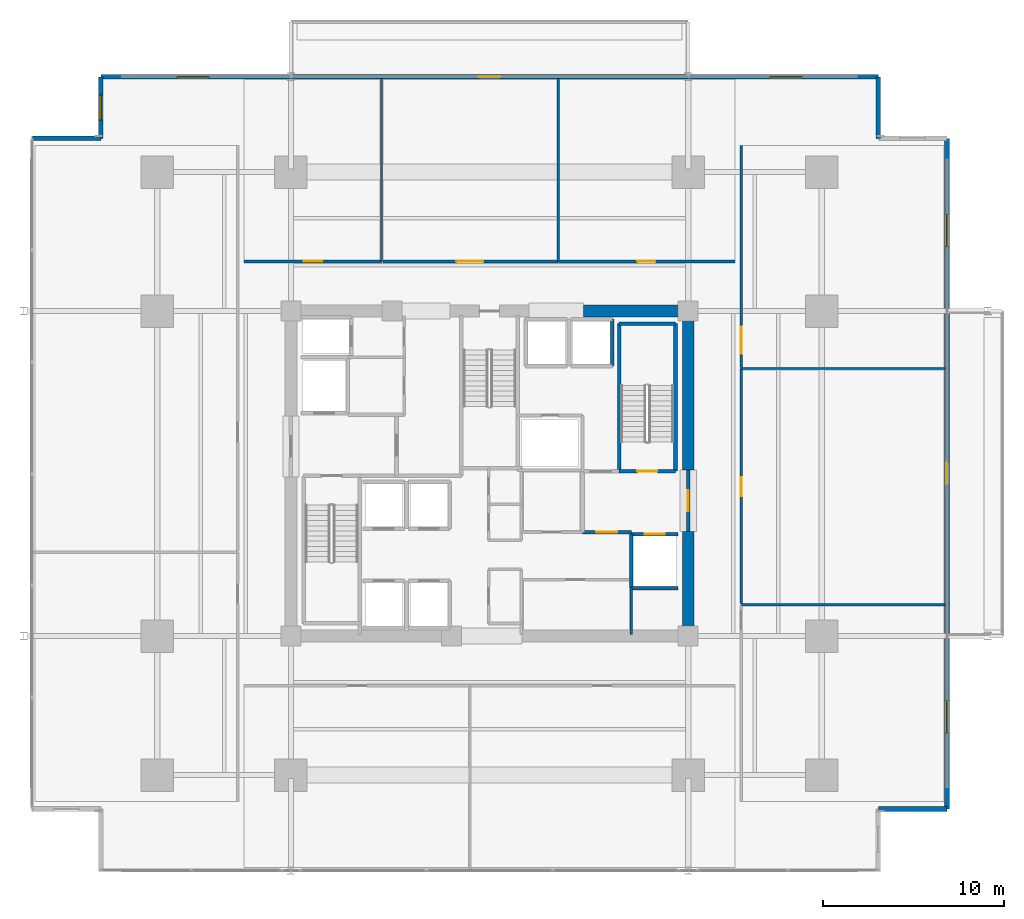
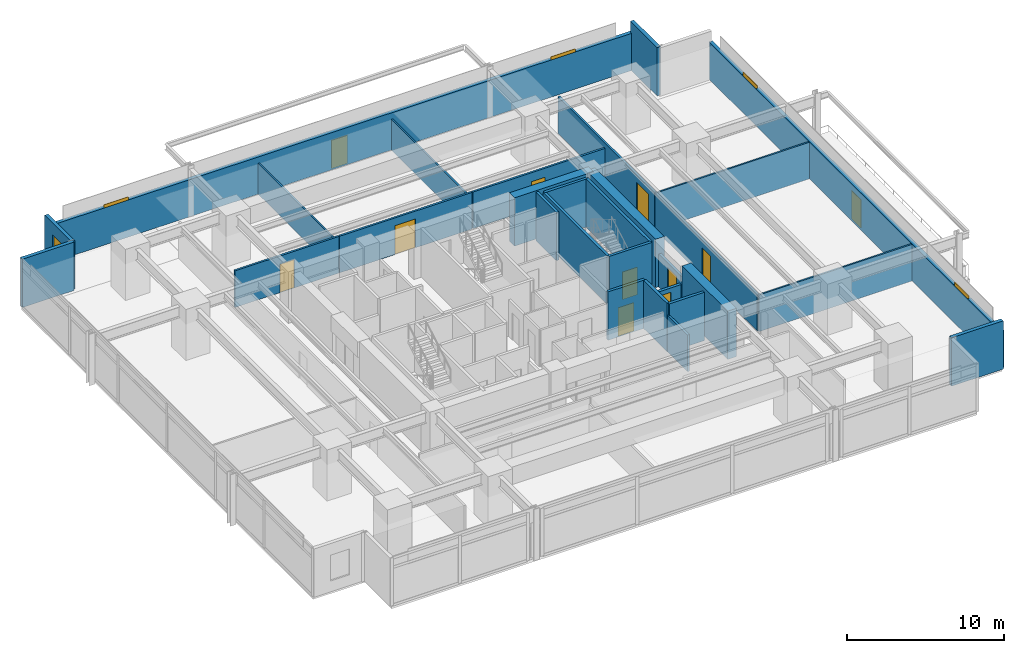
# One storey, part 17 of 22: 29 walls, 11 doors, 5 windows, 16 openings.
"""IFC4 building model written with IfcOpenShell, lengths in metres."""

from ifc_helpers import new_model, si_unit, direction, frame, frame_2d, origin, place, context, subcontext, project, spatial, rectangle, extrude, material, layer, layer_set, type_object, element, fill, save


model = new_model("IFC4")

# Units and contexts
model_context = context("Model", 3, precision=1e-05, world=origin(), true_north=direction((0.0, 1.0)))
body_context = subcontext(model_context, "Body", "Model", "MODEL_VIEW")
ifc_project = project(units=[si_unit("LENGTHUNIT", "METRE"), si_unit("AREAUNIT", "SQUARE_METRE"), si_unit("VOLUMEUNIT", "CUBIC_METRE"), si_unit("PLANEANGLEUNIT", "RADIAN"), si_unit("MASSUNIT", "GRAM", prefix="KILO")], contexts=[model_context])

# Site, building, storey
site_placement = place(None, origin())
site = spatial("IfcSite", under=ifc_project, at=site_placement, CompositionType="ELEMENT")
building_placement = place(site_placement, origin())
building = spatial("IfcBuilding", under=site, at=building_placement, Name="Kovane Verandah Tower", CompositionType="ELEMENT")
storey_placement = place(building_placement, frame((0.0, 0.0, 43.60009765625)))
storey = spatial("IfcBuildingStorey", under=building, at=storey_placement, Name="L09", CompositionType="ELEMENT", Elevation=43.60009765625)

# Wall
ifc_material_1 = material(Name="Fire-Rated Gypsum Stud Partition", Category="gypsum")
ifc_layer_1 = layer(ifc_material_1, 0.14990234375)
ifc_layer_set_1 = layer_set([ifc_layer_1], Name="Fire-Rated Gypsum Stud Partition")
wall_type_1 = type_object("IfcWallType", Name="WL-COR-150", PredefinedType="PARTITIONING", material=ifc_layer_set_1)
wall_1_placement = place(storey_placement, frame((47.85009765625, 18.60009765625, 0.0), z_axis=(0.0, 0.0, 1.0), x_axis=(0.0, 1.0, 0.0)))
element("IfcWall", 1, at=wall_1_placement, inside=storey, type_object=wall_type_1, Name="L09 East Core Support East Wall", PredefinedType="PARTITIONING", context=body_context, shape_type="SweptSolid", body=[
    extrude(rectangle(XDim=2.539794921875, YDim=0.14990234375, at=frame_2d((1.27001953125, 0.0))), origin(), (0.0, 0.0, 1.0), 2.849853515625),
])

# Wall, opening, door
wall_2_placement = place(storey_placement, frame((26.39990234375, 39.25, 0.0), z_axis=(0.0, 0.0, 1.0), x_axis=(1.0, 0.0, 0.0)))
wall_2 = element("IfcWall", 2, at=wall_2_placement, inside=storey, type_object=wall_type_1, Name="L09 Executive Office N1 Corridor Partition", PredefinedType="PARTITIONING", context=body_context, shape_type="SweptSolid", body=[
    extrude(rectangle(XDim=7.6162109375, YDim=0.14990234375, at=frame_2d((3.80810546875, 0.0))), origin(), (0.0, 0.0, 1.0), 2.849853515625),
])
opening_1_placement = place(wall_2_placement, frame((3.298095703125, 0.0, 0.0)))
opening_1 = element("IfcOpeningElement", 3, at=opening_1_placement, cuts=wall_2, Name="Opening DR-L09-018", PredefinedType="OPENING", context=body_context, shape_type="SweptSolid", body=[
    extrude(rectangle(XDim=1.050048828125, YDim=2.199951171875, at=frame_2d((0.52490234375, 1.10009765625))), frame((0.0, 0.074951171875, 0.0), z_axis=(0.0, -1.0, 0.0), x_axis=(1.0, 0.0, 0.0)), (0.0, 0.0, 1.0), 0.14990234375),
])
ifc_material_2 = material(Name="FSC Blackbutt Timber Fire-Rated Executive Door", Category="wood")
door_type_1 = type_object("IfcDoorType", Name="DR-EXEC-1050", OperationType="SINGLE_SWING_LEFT", PredefinedType="DOOR", material=ifc_material_2)
door_1_placement = place(opening_1_placement, origin())
door_1 = element("IfcDoor", 4, at=door_1_placement, inside=storey, type_object=door_type_1, Name="L09 Executive Office N1 Entrance Door", OperationType="SINGLE_SWING_LEFT", OverallHeight=2.199951171875, OverallWidth=1.050048828125, PredefinedType="DOOR", context=body_context, shape_type="SweptSolid", body=[
    extrude(rectangle(XDim=1.050048828125, YDim=2.199951171875, at=frame_2d((0.52490234375, 1.10009765625))), frame((0.0, 0.02490234375, 0.0), z_axis=(0.0, -1.0, 0.0), x_axis=(1.0, 0.0, 0.0)), (0.0, 0.0, 1.0), 0.050048828125),
])
fill(opening_1, door_1)

wall_3_placement = place(storey_placement, frame((34.0859375, 39.25, 0.0), z_axis=(0.0, 0.0, 1.0), x_axis=(1.0, 0.0, 0.0)))
wall_3 = element("IfcWall", 5, at=wall_3_placement, inside=storey, type_object=wall_type_1, Name="L09 Client Boardroom N2 Corridor Partition", PredefinedType="PARTITIONING", context=body_context, shape_type="SweptSolid", body=[
    extrude(rectangle(XDim=9.72216796875, YDim=0.14990234375, at=frame_2d((4.861083984375, 0.0))), origin(), (0.0, 0.0, 1.0), 2.849853515625),
])
opening_2_placement = place(wall_3_placement, frame((4.075927734375, 0.0, 0.0)))
opening_2 = element("IfcOpeningElement", 6, at=opening_2_placement, cuts=wall_3, Name="Opening DR-L09-019", PredefinedType="OPENING", context=body_context, shape_type="SweptSolid", body=[
    extrude(rectangle(XDim=1.5, YDim=2.25, at=frame_2d((0.75, 1.125))), frame((0.0, 0.074951171875, 0.0), z_axis=(0.0, -1.0, 0.0), x_axis=(1.0, 0.0, 0.0)), (0.0, 0.0, 1.0), 0.14990234375),
])
ifc_material_3 = material(Name="Glazed Timber Fire-Rated Double Door", Category="wood")
door_type_2 = type_object("IfcDoorType", Name="DR-CONF-1500", OperationType="DOUBLE_DOOR_SINGLE_SWING", PredefinedType="DOOR", material=ifc_material_3)
door_2_placement = place(opening_2_placement, origin())
door_2 = element("IfcDoor", 7, at=door_2_placement, inside=storey, type_object=door_type_2, Name="L09 Client Boardroom N2 Entrance Door", OperationType="DOUBLE_DOOR_SINGLE_SWING", OverallHeight=2.25, OverallWidth=1.5, PredefinedType="DOOR", context=body_context, shape_type="SweptSolid", body=[
    extrude(rectangle(XDim=1.5, YDim=2.25, at=frame_2d((0.75, 1.125))), frame((0.0, 0.02490234375, 0.0), z_axis=(0.0, -1.0, 0.0), x_axis=(1.0, 0.0, 0.0)), (0.0, 0.0, 1.0), 0.050048828125),
])
fill(opening_2, door_2)

wall_4_placement = place(storey_placement, frame((43.8779296875, 39.25, 0.0), z_axis=(0.0, 0.0, 1.0), x_axis=(1.0, 0.0, 0.0)))
wall_4 = element("IfcWall", 8, at=wall_4_placement, inside=storey, type_object=wall_type_1, Name="L09 Meeting Room N3 Corridor Partition", PredefinedType="PARTITIONING", context=body_context, shape_type="SweptSolid", body=[
    extrude(rectangle(XDim=9.72216796875, YDim=0.14990234375, at=frame_2d((4.861083984375, 0.0))), origin(), (0.0, 0.0, 1.0), 2.849853515625),
])
opening_3_placement = place(wall_4_placement, frame((4.31103515625, 0.0, 0.0)))
opening_3 = element("IfcOpeningElement", 9, at=opening_3_placement, cuts=wall_4, Name="Opening DR-L09-020", PredefinedType="OPENING", context=body_context, shape_type="SweptSolid", body=[
    extrude(rectangle(XDim=1.0, YDim=2.14990234375, at=frame_2d((0.5, 1.074951171875))), frame((0.0, 0.074951171875, 0.0), z_axis=(0.0, -1.0, 0.0), x_axis=(1.0, 0.0, 0.0)), (0.0, 0.0, 1.0), 0.14990234375),
])
ifc_material_4 = material(Name="FSC Spotted-Gum Timber Fire-Rated Office Door", Category="wood")
door_type_3 = type_object("IfcDoorType", Name="DR-OFF-1000", OperationType="SINGLE_SWING_LEFT", PredefinedType="DOOR", material=ifc_material_4)
door_3_placement = place(opening_3_placement, origin())
door_3 = element("IfcDoor", 10, at=door_3_placement, inside=storey, type_object=door_type_3, Name="L09 Meeting Room N3 Entrance Door", OperationType="SINGLE_SWING_LEFT", OverallHeight=2.14990234375, OverallWidth=1.0, PredefinedType="DOOR", context=body_context, shape_type="SweptSolid", body=[
    extrude(rectangle(XDim=1.0, YDim=2.14990234375, at=frame_2d((0.5, 1.074951171875))), frame((0.0, 0.02490234375, 0.0), z_axis=(0.0, -1.0, 0.0), x_axis=(1.0, 0.0, 0.0)), (0.0, 0.0, 1.0), 0.050048828125),
])
fill(opening_3, door_3)

wall_5_placement = place(storey_placement, frame((53.949951171875, 20.30078125, 0.0), z_axis=(0.0, 0.0, 1.0), x_axis=(0.0, 1.0, 0.0)))
wall_5 = element("IfcWall", 11, at=wall_5_placement, inside=storey, type_object=wall_type_1, Name="L09 Executive Office E2 Corridor Partition", PredefinedType="PARTITIONING", context=body_context, shape_type="SweptSolid", body=[
    extrude(rectangle(XDim=13.0146484375, YDim=0.14990234375, at=frame_2d((6.50732421875, 0.0))), origin(), (0.0, 0.0, 1.0), 2.849853515625),
])
opening_4_placement = place(wall_5_placement, frame((5.947265625, 0.0, 0.0)))
opening_4 = element("IfcOpeningElement", 12, at=opening_4_placement, cuts=wall_5, Name="Opening DR-L09-013", PredefinedType="OPENING", context=body_context, shape_type="SweptSolid", body=[
    extrude(rectangle(XDim=1.050048828125, YDim=2.199951171875, at=frame_2d((0.52490234375, 1.10009765625))), frame((0.0, 0.074951171875, 0.0), z_axis=(0.0, -1.0, 0.0), x_axis=(1.0, 0.0, 0.0)), (0.0, 0.0, 1.0), 0.14990234375),
])
door_4_placement = place(opening_4_placement, origin())
door_4 = element("IfcDoor", 13, at=door_4_placement, inside=storey, type_object=door_type_1, Name="L09 Executive Office E2 Entrance Door", OperationType="SINGLE_SWING_LEFT", OverallHeight=2.199951171875, OverallWidth=1.050048828125, PredefinedType="DOOR", context=body_context, shape_type="SweptSolid", body=[
    extrude(rectangle(XDim=1.050048828125, YDim=2.199951171875, at=frame_2d((0.52490234375, 1.10009765625))), frame((0.0, 0.02490234375, 0.0), z_axis=(0.0, -1.0, 0.0), x_axis=(1.0, 0.0, 0.0)), (0.0, 0.0, 1.0), 0.050048828125),
])
fill(opening_4, door_4)

wall_6_placement = place(storey_placement, frame((53.949951171875, 33.385498046875, 0.0), z_axis=(0.0, 0.0, 1.0), x_axis=(0.0, 1.0, 0.0)))
wall_6 = element("IfcWall", 14, at=wall_6_placement, inside=storey, type_object=wall_type_1, Name="L09 Client Boardroom E3 Corridor Partition", PredefinedType="PARTITIONING", context=body_context, shape_type="SweptSolid", body=[
    extrude(rectangle(XDim=12.28759765625, YDim=0.14990234375, at=frame_2d((6.143798828125, 0.0))), origin(), (0.0, 0.0, 1.0), 2.849853515625),
])
opening_5_placement = place(wall_6_placement, frame((0.75732421875, 0.0, 0.0)))
opening_5 = element("IfcOpeningElement", 15, at=opening_5_placement, cuts=wall_6, Name="Opening DR-L09-014", PredefinedType="OPENING", context=body_context, shape_type="SweptSolid", body=[
    extrude(rectangle(XDim=1.5, YDim=2.25, at=frame_2d((0.75, 1.125))), frame((0.0, 0.074951171875, 0.0), z_axis=(0.0, -1.0, 0.0), x_axis=(1.0, 0.0, 0.0)), (0.0, 0.0, 1.0), 0.14990234375),
])
door_5_placement = place(opening_5_placement, origin())
door_5 = element("IfcDoor", 16, at=door_5_placement, inside=storey, type_object=door_type_2, Name="L09 Client Boardroom E3 Entrance Door", OperationType="DOUBLE_DOOR_SINGLE_SWING", OverallHeight=2.25, OverallWidth=1.5, PredefinedType="DOOR", context=body_context, shape_type="SweptSolid", body=[
    extrude(rectangle(XDim=1.5, YDim=2.25, at=frame_2d((0.75, 1.125))), frame((0.0, 0.02490234375, 0.0), z_axis=(0.0, -1.0, 0.0), x_axis=(1.0, 0.0, 0.0)), (0.0, 0.0, 1.0), 0.050048828125),
])
fill(opening_5, door_5)

# Walls
ifc_material_5 = material(Name="Concrete C80/95", Category="concrete")
ifc_layer_2 = layer(ifc_material_5, 0.64990234375)
ifc_layer_set_2 = layer_set([ifc_layer_2], Name="Concrete C80/95")
wall_type_2 = type_object("IfcWallType", Name="WL-CORE-650", PredefinedType="SHEAR", material=ifc_layer_set_2)
for number, where, z_axis, x_axis, name in (
    (17, (45.199951171875, 36.5, 0.0), (0.0, 0.0, 1.0), (1.0, 0.0, 0.0), "L09 Core Shear Wall CN-3"),
    (18, (51.0, 18.5, 0.0), (0.0, 0.0, 1.0), (0.0, 1.0, 0.0), "L09 Core Shear Wall CE-1"),
):
    element("IfcWall", number, at=place(storey_placement, frame(where, z_axis=z_axis, x_axis=x_axis)), inside=storey, type_object=wall_type_2, Name=name, PredefinedType="SHEAR", context=body_context, shape_type="SweptSolid", body=[
        extrude(rectangle(XDim=5.800048828125, YDim=0.64990234375, at=frame_2d((2.89990234375, 0.0))), origin(), (0.0, 0.0, 1.0), 3.760009765625),
    ])
wall_7_placement = place(storey_placement, frame((51.0, 27.699951171875, 0.0), z_axis=(0.0, 0.0, 1.0), x_axis=(0.0, 1.0, 0.0)))
element("IfcWall", 19, at=wall_7_placement, inside=storey, type_object=wall_type_2, Name="L09 Core Shear Wall CE-2", PredefinedType="SHEAR", context=body_context, shape_type="SweptSolid", body=[
    extrude(rectangle(XDim=8.800048828125, YDim=0.64990234375, at=frame_2d((4.39990234375, 0.0))), origin(), (0.0, 0.0, 1.0), 3.760009765625),
])

# Wall, opening, door
ifc_material_6 = material(Name="Concrete C45/55 Fire Wall", Category="concrete")
ifc_layer_3 = layer(ifc_material_6, 0.199951171875)
ifc_layer_set_3 = layer_set([ifc_layer_3], Name="Concrete C45/55 Fire Wall")
wall_type_3 = type_object("IfcWallType", Name="WL-FFL-200", PredefinedType="PARTITIONING", material=ifc_layer_set_3)
wall_8_placement = place(storey_placement, frame((45.14990234375, 24.25, 0.0), z_axis=(0.0, 0.0, 1.0), x_axis=(1.0, 0.0, 0.0)))
wall_8 = element("IfcWall", 20, at=wall_8_placement, inside=storey, type_object=wall_type_3, Name="W-L09-FFLE-S", PredefinedType="PARTITIONING", context=body_context, shape_type="SweptSolid", body=[
    extrude(rectangle(XDim=2.7001953125, YDim=0.199951171875, at=frame_2d((1.35009765625, 0.0))), origin(), (0.0, 0.0, 1.0), 3.760009765625),
])
opening_6_placement = place(wall_8_placement, frame((0.77490234375, 0.0, 0.0)))
opening_6 = element("IfcOpeningElement", 21, at=opening_6_placement, cuts=wall_8, Name="Opening DR-L09-003", PredefinedType="OPENING", context=body_context, shape_type="SweptSolid", body=[
    extrude(rectangle(XDim=1.14990234375, YDim=2.199951171875, at=frame_2d((0.574951171875, 1.10009765625))), frame((0.0, 0.10009765625, 0.0), z_axis=(0.0, -1.0, 0.0), x_axis=(1.0, 0.0, 0.0)), (0.0, 0.0, 1.0), 0.199951171875),
])
ifc_material_7 = material(Name="Smoke-Sealed Firefighting Lobby Door", Category="steel")
door_type_4 = type_object("IfcDoorType", Name="DR-FFL-1150", OperationType="SINGLE_SWING_LEFT", PredefinedType="DOOR", material=ifc_material_7)
door_6_placement = place(opening_6_placement, origin())
door_6 = element("IfcDoor", 22, at=door_6_placement, inside=storey, type_object=door_type_4, Name="L09 East Firefighting Lobby Inner Door", OperationType="SINGLE_SWING_RIGHT", OverallHeight=2.199951171875, OverallWidth=1.14990234375, PredefinedType="DOOR", context=body_context, shape_type="SweptSolid", body=[
    extrude(rectangle(XDim=1.14990234375, YDim=2.199951171875, at=frame_2d((0.574951171875, 1.10009765625))), frame((0.0, 0.02490234375, 0.0), z_axis=(0.0, -1.0, 0.0), x_axis=(1.0, 0.0, 0.0)), (0.0, 0.0, 1.0), 0.050048828125),
])
fill(opening_6, door_6)

wall_9_placement = place(storey_placement, frame((51.0, 24.300048828125, 0.0), z_axis=(0.0, 0.0, 1.0), x_axis=(0.0, 1.0, 0.0)))
wall_9 = element("IfcWall", 23, at=wall_9_placement, inside=storey, type_object=wall_type_3, Name="W-L09-FFLE-OUT", PredefinedType="PARTITIONING", context=body_context, shape_type="SweptSolid", body=[
    extrude(rectangle(XDim=3.39990234375, YDim=0.199951171875, at=frame_2d((1.699951171875, 0.0))), origin(), (0.0, 0.0, 1.0), 2.539794921875),
])
opening_7_placement = place(wall_9_placement, frame((1.125, 0.0, 0.0)))
opening_7 = element("IfcOpeningElement", 24, at=opening_7_placement, cuts=wall_9, Name="Opening DR-L09-005", PredefinedType="OPENING", context=body_context, shape_type="SweptSolid", body=[
    extrude(rectangle(XDim=1.14990234375, YDim=2.199951171875, at=frame_2d((0.574951171875, 1.10009765625))), frame((0.0, 0.10009765625, 0.0), z_axis=(0.0, -1.0, 0.0), x_axis=(1.0, 0.0, 0.0)), (0.0, 0.0, 1.0), 0.199951171875),
])
door_7_placement = place(opening_7_placement, origin())
door_7 = element("IfcDoor", 25, at=door_7_placement, inside=storey, type_object=door_type_4, Name="L09 East Firefighting Lobby Corridor Door", OperationType="SINGLE_SWING_LEFT", OverallHeight=2.199951171875, OverallWidth=1.14990234375, PredefinedType="DOOR", context=body_context, shape_type="SweptSolid", body=[
    extrude(rectangle(XDim=1.14990234375, YDim=2.199951171875, at=frame_2d((0.574951171875, 1.10009765625))), frame((0.0, 0.02490234375, 0.0), z_axis=(0.0, -1.0, 0.0), x_axis=(1.0, 0.0, 0.0)), (0.0, 0.0, 1.0), 0.050048828125),
])
fill(opening_7, door_7)

# Wall
ifc_material_8 = material(Name="Concrete C45/55 Lift Shaft Wall", Category="concrete")
ifc_layer_4 = layer(ifc_material_8, 0.199951171875)
ifc_layer_set_4 = layer_set([ifc_layer_4], Name="Concrete C45/55 Lift Shaft Wall")
wall_type_4 = type_object("IfcWallType", Name="WL-LIFT-200", PredefinedType="SOLIDWALL", material=ifc_layer_set_4)
wall_10_placement = place(storey_placement, frame((47.85009765625, 21.14990234375, 0.0), z_axis=(0.0, 0.0, 1.0), x_axis=(1.0, 0.0, 0.0)))
element("IfcWall", 26, at=wall_10_placement, inside=storey, type_object=wall_type_4, Name="L09 Lift FL-02 S Shaft Wall", PredefinedType="SOLIDWALL", context=body_context, shape_type="SweptSolid", body=[
    extrude(rectangle(XDim=2.599853515625, YDim=0.199951171875, at=frame_2d((1.2998046875, 0.0))), origin(), (0.0, 0.0, 1.0), 3.760009765625),
])

# Wall, opening, door
wall_11_placement = place(storey_placement, frame((50.449951171875, 24.14990234375, 0.0), z_axis=(0.0, 0.0, 1.0), x_axis=(-1.0, 0.0, 0.0)))
wall_11 = element("IfcWall", 27, at=wall_11_placement, inside=storey, type_object=wall_type_4, Name="L09 Lift FL-02 N Shaft Wall", PredefinedType="SOLIDWALL", context=body_context, shape_type="SweptSolid", body=[
    extrude(rectangle(XDim=2.599853515625, YDim=0.199951171875, at=frame_2d((1.2998046875, 0.0))), origin(), (0.0, 0.0, 1.0), 2.539794921875),
])
opening_8_placement = place(wall_11_placement, frame((0.75, 0.0, 0.0)))
opening_8 = element("IfcOpeningElement", 28, at=opening_8_placement, cuts=wall_11, Name="Opening LD-L09-002", PredefinedType="OPENING", context=body_context, shape_type="SweptSolid", body=[
    extrude(rectangle(XDim=1.10009765625, YDim=2.199951171875, at=frame_2d((0.550048828125, 1.10009765625))), frame((0.0, 0.10009765625, 0.0), z_axis=(0.0, -1.0, 0.0), x_axis=(1.0, 0.0, 0.0)), (0.0, 0.0, 1.0), 0.199951171875),
])
ifc_material_9 = material(Name="Brushed Stainless Steel Sliding Lift Landing Door", Category="steel")
door_type_5 = type_object("IfcDoorType", Name="DR-LIFT-1100", OperationType="SLIDING_TO_RIGHT", PredefinedType="DOOR", material=ifc_material_9)
door_8_placement = place(opening_8_placement, origin())
door_8 = element("IfcDoor", 29, at=door_8_placement, inside=storey, type_object=door_type_5, Name="L09 Lift FL-02 Sliding Landing Door", OperationType="SLIDING_TO_RIGHT", OverallHeight=2.199951171875, OverallWidth=1.10009765625, PredefinedType="DOOR", context=body_context, shape_type="SweptSolid", body=[
    extrude(rectangle(XDim=1.10009765625, YDim=2.199951171875, at=frame_2d((0.550048828125, 1.10009765625))), frame((0.0, 0.02490234375, 0.0), z_axis=(0.0, -1.0, 0.0), x_axis=(1.0, 0.0, 0.0)), (0.0, 0.0, 1.0), 0.050048828125),
])
fill(opening_8, door_8)

# Walls
wall_12_placement = place(storey_placement, frame((47.85009765625, 24.14990234375, 0.0), z_axis=(0.0, 0.0, 1.0), x_axis=(0.0, -1.0, 0.0)))
element("IfcWall", 30, at=wall_12_placement, inside=storey, type_object=wall_type_4, Name="L09 Lift FL-02 W Shaft Wall", PredefinedType="SOLIDWALL", context=body_context, shape_type="SweptSolid", body=[
    extrude(rectangle(XDim=3.0, YDim=0.199951171875, at=frame_2d((1.5, 0.0))), origin(), (0.0, 0.0, 1.0), 3.760009765625),
])
wall_13_placement = place(storey_placement, frame((46.800048828125, 33.449951171875, 0.0), z_axis=(0.0, 0.0, 1.0), x_axis=(0.0, 1.0, 0.0)))
element("IfcWall", 31, at=wall_13_placement, inside=storey, type_object=wall_type_4, Name="L09 Lift OL-01 E Shaft Wall", PredefinedType="SOLIDWALL", context=body_context, shape_type="SweptSolid", body=[
    extrude(rectangle(XDim=2.60009765625, YDim=0.199951171875, at=frame_2d((1.300048828125, 0.0))), origin(), (0.0, 0.0, 1.0), 3.760009765625),
])
ifc_material_10 = material(Name="Acoustic Fire-Rated Gypsum Partition", Category="gypsum")
ifc_layer_5 = layer(ifc_material_10, 0.1201171875)
ifc_layer_set_5 = layer_set([ifc_layer_5], Name="Acoustic Fire-Rated Gypsum Partition")
wall_type_5 = type_object("IfcWallType", Name="WL-PART-120", PredefinedType="PARTITIONING", material=ifc_layer_set_5)
for number, where, z_axis, x_axis, name in (
    (32, (34.01611328125, 39.25, 0.0), (0.0, 0.0, 1.0), (0.0, 1.0, 0.0), "L09 Executive Office N1 Dividing Partition"),
    (33, (43.80810546875, 39.25, 0.0), (0.0, 0.0, 1.0), (0.0, 1.0, 0.0), "L09 Client Boardroom N2 Dividing Partition"),
):
    element("IfcWall", number, at=place(storey_placement, frame(where, z_axis=z_axis, x_axis=x_axis)), inside=storey, type_object=wall_type_5, Name=name, PredefinedType="PARTITIONING", context=body_context, shape_type="SweptSolid", body=[
        extrude(rectangle(XDim=10.123046875, YDim=0.1201171875, at=frame_2d((5.0615234375, 0.0))), origin(), (0.0, 0.0, 1.0), 2.389892578125),
    ])
for number, where, z_axis, x_axis, name in (
    (34, (53.949951171875, 20.230712890625, 0.0), (0.0, 0.0, 1.0), (1.0, 0.0, 0.0), "L09 Open Plan Office E1 Dividing Partition"),
    (35, (53.949951171875, 33.3154296875, 0.0), (0.0, 0.0, 1.0), (1.0, 0.0, 0.0), "L09 Executive Office E2 Dividing Partition"),
):
    element("IfcWall", number, at=place(storey_placement, frame(where, z_axis=z_axis, x_axis=x_axis)), inside=storey, type_object=wall_type_5, Name=name, PredefinedType="PARTITIONING", context=body_context, shape_type="SweptSolid", body=[
        extrude(rectangle(XDim=11.282958984375, YDim=0.1201171875, at=frame_2d((5.6416015625, 0.0))), origin(), (0.0, 0.0, 1.0), 2.849853515625),
    ])
ifc_material_11 = material(Name="Concrete C45/55", Category="concrete")
ifc_layer_6 = layer(ifc_material_11, 0.199951171875)
ifc_layer_set_6 = layer_set([ifc_layer_6], Name="Concrete C45/55")
wall_type_6 = type_object("IfcWallType", Name="WL-SHAFT-200", PredefinedType="SOLIDWALL", material=ifc_layer_set_6)
wall_14_placement = place(storey_placement, frame((50.300048828125, 27.64990234375, 0.0), z_axis=(0.0, 0.0, 1.0), x_axis=(0.0, 1.0, 0.0)))
element("IfcWall", 36, at=wall_14_placement, inside=storey, type_object=wall_type_6, Name="W-L09-ST02-E", PredefinedType="SOLIDWALL", context=body_context, shape_type="SweptSolid", body=[
    extrude(rectangle(XDim=8.150146484375, YDim=0.199951171875, at=frame_2d((4.0751953125, 0.0))), origin(), (0.0, 0.0, 1.0), 3.760009765625),
])
wall_15_placement = place(storey_placement, frame((47.179931640625, 35.800048828125, 0.0), z_axis=(0.0, 0.0, 1.0), x_axis=(1.0, 0.0, 0.0)))
element("IfcWall", 37, at=wall_15_placement, inside=storey, type_object=wall_type_6, Name="W-L09-ST02-N", PredefinedType="SOLIDWALL", context=body_context, shape_type="SweptSolid", body=[
    extrude(rectangle(XDim=3.1201171875, YDim=0.199951171875, at=frame_2d((1.56005859375, 0.0))), origin(), (0.0, 0.0, 1.0), 3.760009765625),
])
wall_16_placement = place(storey_placement, frame((47.179931640625, 27.6201171875, 0.0), z_axis=(0.0, 0.0, 1.0), x_axis=(0.0, 1.0, 0.0)))
element("IfcWall", 38, at=wall_16_placement, inside=storey, type_object=wall_type_6, Name="W-L09-ST02-W", PredefinedType="SOLIDWALL", context=body_context, shape_type="SweptSolid", body=[
    extrude(rectangle(XDim=8.179931640625, YDim=0.199951171875, at=frame_2d((4.08984375, 0.0))), origin(), (0.0, 0.0, 1.0), 3.760009765625),
])

# Wall, opening, door
wall_17_placement = place(storey_placement, frame((47.179931640625, 27.6201171875, 0.0), z_axis=(0.0, 0.0, 1.0), x_axis=(1.0, 0.0, 0.0)))
wall_17 = element("IfcWall", 39, at=wall_17_placement, inside=storey, type_object=wall_type_6, Name="W-L09-ST02-S", PredefinedType="SOLIDWALL", context=body_context, shape_type="SweptSolid", body=[
    extrude(rectangle(XDim=3.1201171875, YDim=0.199951171875, at=frame_2d((1.56005859375, 0.0))), origin(), (0.0, 0.0, 1.0), 3.760009765625),
])
opening_9_placement = place(wall_17_placement, frame((1.010009765625, 0.0, 0.0)))
opening_9 = element("IfcOpeningElement", 40, at=opening_9_placement, cuts=wall_17, Name="Opening DR-L09-010", PredefinedType="OPENING", context=body_context, shape_type="SweptSolid", body=[
    extrude(rectangle(XDim=1.10009765625, YDim=2.14990234375, at=frame_2d((0.550048828125, 1.074951171875))), frame((0.0, 0.10009765625, 0.0), z_axis=(0.0, -1.0, 0.0), x_axis=(1.0, 0.0, 0.0)), (0.0, 0.0, 1.0), 0.199951171875),
])
ifc_material_12 = material(Name="Fire-Rated Steel Exit Door", Category="steel")
door_type_6 = type_object("IfcDoorType", Name="DR-STAIR-1100", OperationType="SINGLE_SWING_LEFT", PredefinedType="DOOR", material=ifc_material_12)
door_9_placement = place(opening_9_placement, origin())
door_9 = element("IfcDoor", 41, at=door_9_placement, inside=storey, type_object=door_type_6, Name="L09 ST-02 Fire Exit Stair Door", OperationType="SINGLE_SWING_LEFT", OverallHeight=2.14990234375, OverallWidth=1.10009765625, PredefinedType="DOOR", context=body_context, shape_type="SweptSolid", body=[
    extrude(rectangle(XDim=1.10009765625, YDim=2.14990234375, at=frame_2d((0.550048828125, 1.074951171875))), frame((0.0, 0.02490234375, 0.0), z_axis=(0.0, -1.0, 0.0), x_axis=(1.0, 0.0, 0.0)), (0.0, 0.0, 1.0), 0.050048828125),
])
fill(opening_9, door_9)

# Wall, openings, door, windows
ifc_material_13 = material(Name="Concrete C45/55 Insulated Spandrel Wall", Category="concrete")
ifc_layer_7 = layer(ifc_material_13, 0.260009765625)
ifc_layer_set_7 = layer_set([ifc_layer_7], Name="Concrete C45/55 Insulated Spandrel Wall")
wall_type_7 = type_object("IfcWallType", Name="WL-SPANDREL-260", PredefinedType="PARAPET", material=ifc_layer_set_7)
wall_18_placement = place(storey_placement, frame((65.3330078125, 8.927001953125, 0.0), z_axis=(0.0, 0.0, 1.0), x_axis=(0.0, 1.0, 0.0)))
wall_18 = element("IfcWall", 42, at=wall_18_placement, inside=storey, type_object=wall_type_7, Name="L09 E Verandah Access Facade Wall", PredefinedType="PARAPET", context=body_context, shape_type="SweptSolid", body=[
    extrude(rectangle(XDim=37.14599609375, YDim=0.260009765625, at=frame_2d((18.572998046875, 0.0))), origin(), (0.0, 0.0, 1.0), 2.88916015625),
])
opening_10_placement = place(wall_18_placement, frame((4.199951171875, 0.0, 0.85009765625)))
opening_10 = element("IfcOpeningElement", 43, at=opening_10_placement, cuts=wall_18, Name="Opening W-03", PredefinedType="OPENING", context=body_context, shape_type="SweptSolid", body=[
    extrude(rectangle(XDim=1.800048828125, YDim=2.199951171875, at=frame_2d((0.89990234375, 1.10009765625))), frame((0.0, 0.1298828125, 0.0), z_axis=(0.0, -1.0, 0.0), x_axis=(1.0, 0.0, 0.0)), (0.0, 0.0, 1.0), 0.260009765625),
])
opening_11_placement = place(wall_18_placement, frame((17.97314453125, 0.0, 0.0)))
opening_11 = element("IfcOpeningElement", 44, at=opening_11_placement, cuts=wall_18, Name="Opening DR-L09-001", PredefinedType="OPENING", context=body_context, shape_type="SweptSolid", body=[
    extrude(rectangle(XDim=1.199951171875, YDim=2.199951171875, at=frame_2d((0.60009765625, 1.10009765625))), frame((0.0, 0.1298828125, 0.0), z_axis=(0.0, -1.0, 0.0), x_axis=(1.0, 0.0, 0.0)), (0.0, 0.0, 1.0), 0.260009765625),
])
opening_12_placement = place(wall_18_placement, frame((31.146240234375, 0.0, 0.85009765625)))
opening_12 = element("IfcOpeningElement", 45, at=opening_12_placement, cuts=wall_18, Name="Opening W-03", PredefinedType="OPENING", context=body_context, shape_type="SweptSolid", body=[
    extrude(rectangle(XDim=1.800048828125, YDim=2.199951171875, at=frame_2d((0.89990234375, 1.10009765625))), frame((0.0, 0.1298828125, 0.0), z_axis=(0.0, -1.0, 0.0), x_axis=(1.0, 0.0, 0.0)), (0.0, 0.0, 1.0), 0.260009765625),
])
ifc_material_14 = material(Name="Cyclone-Rated Glazed Balcony Leaf Door", Category="aluminium")
door_type_7 = type_object("IfcDoorType", Name="DR-BAL-1200x2200", OperationType="SINGLE_SWING_LEFT", PredefinedType="DOOR", material=ifc_material_14)
door_10_placement = place(opening_11_placement, origin())
door_10 = element("IfcDoor", 46, at=door_10_placement, inside=storey, type_object=door_type_7, Name="L09 E Planted Balcony Access Door", OperationType="SINGLE_SWING_LEFT", OverallHeight=2.199951171875, OverallWidth=1.199951171875, PredefinedType="DOOR", context=body_context, shape_type="SweptSolid", body=[
    extrude(rectangle(XDim=1.199951171875, YDim=2.199951171875, at=frame_2d((0.60009765625, 1.10009765625))), frame((0.0, 0.02490234375, 0.0), z_axis=(0.0, -1.0, 0.0), x_axis=(1.0, 0.0, 0.0)), (0.0, 0.0, 1.0), 0.050048828125),
])
fill(opening_11, door_10)
ifc_material_15 = material(Name="Clear Low-E Laminated Double Glazing in Anodised Frame", Category="glass")
window_type_1 = type_object("IfcWindowType", Name="WN-NOTCH-1800x2200", PartitioningType="SINGLE_PANEL", PredefinedType="WINDOW", material=ifc_material_15)
window_1_placement = place(opening_10_placement, origin())
window_1 = element("IfcWindow", 47, at=window_1_placement, inside=storey, type_object=window_type_1, Name="L09 E Verandah View Window 1", OverallHeight=2.199951171875, OverallWidth=1.800048828125, PartitioningType="SINGLE_PANEL", PredefinedType="WINDOW", context=body_context, shape_type="SweptSolid", body=[
    extrude(rectangle(XDim=1.800048828125, YDim=2.199951171875, at=frame_2d((0.89990234375, 1.10009765625))), frame((0.0, 0.030029296875, 0.0), z_axis=(0.0, -1.0, 0.0), x_axis=(1.0, 0.0, 0.0)), (0.0, 0.0, 1.0), 0.06005859375),
])
fill(opening_10, window_1)
window_2_placement = place(opening_12_placement, origin())
window_2 = element("IfcWindow", 48, at=window_2_placement, inside=storey, type_object=window_type_1, Name="L09 E Verandah View Window 2", OverallHeight=2.199951171875, OverallWidth=1.800048828125, PartitioningType="SINGLE_PANEL", PredefinedType="WINDOW", context=body_context, shape_type="SweptSolid", body=[
    extrude(rectangle(XDim=1.800048828125, YDim=2.199951171875, at=frame_2d((0.89990234375, 1.10009765625))), frame((0.0, 0.030029296875, 0.0), z_axis=(0.0, -1.0, 0.0), x_axis=(1.0, 0.0, 0.0)), (0.0, 0.0, 1.0), 0.06005859375),
])
fill(opening_12, window_2)

wall_19_placement = place(storey_placement, frame((61.532958984375, 49.47314453125, 0.0), z_axis=(0.0, 0.0, 1.0), x_axis=(-1.0, 0.0, 0.0)))
wall_19 = element("IfcWall", 49, at=wall_19_placement, inside=storey, type_object=wall_type_7, Name="L09 N Verandah Access Facade Wall", PredefinedType="PARAPET", context=body_context, shape_type="SweptSolid", body=[
    extrude(rectangle(XDim=43.06591796875, YDim=0.260009765625, at=frame_2d((21.532958984375, 0.0))), origin(), (0.0, 0.0, 1.0), 2.88916015625),
])
opening_13_placement = place(wall_19_placement, frame((4.199951171875, 0.0, 0.85009765625)))
opening_13 = element("IfcOpeningElement", 50, at=opening_13_placement, cuts=wall_19, Name="Opening W-03", PredefinedType="OPENING", context=body_context, shape_type="SweptSolid", body=[
    extrude(rectangle(XDim=1.800048828125, YDim=2.199951171875, at=frame_2d((0.89990234375, 1.10009765625))), frame((0.0, 0.1298828125, 0.0), z_axis=(0.0, -1.0, 0.0), x_axis=(1.0, 0.0, 0.0)), (0.0, 0.0, 1.0), 0.260009765625),
])
opening_14_placement = place(wall_19_placement, frame((20.93310546875, 0.0, 0.0)))
opening_14 = element("IfcOpeningElement", 51, at=opening_14_placement, cuts=wall_19, Name="Opening DR-L09-002", PredefinedType="OPENING", context=body_context, shape_type="SweptSolid", body=[
    extrude(rectangle(XDim=1.199951171875, YDim=2.199951171875, at=frame_2d((0.60009765625, 1.10009765625))), frame((0.0, 0.1298828125, 0.0), z_axis=(0.0, -1.0, 0.0), x_axis=(1.0, 0.0, 0.0)), (0.0, 0.0, 1.0), 0.260009765625),
])
opening_15_placement = place(wall_19_placement, frame((37.06591796875, 0.0, 0.85009765625)))
opening_15 = element("IfcOpeningElement", 52, at=opening_15_placement, cuts=wall_19, Name="Opening W-03", PredefinedType="OPENING", context=body_context, shape_type="SweptSolid", body=[
    extrude(rectangle(XDim=1.800048828125, YDim=2.199951171875, at=frame_2d((0.89990234375, 1.10009765625))), frame((0.0, 0.1298828125, 0.0), z_axis=(0.0, -1.0, 0.0), x_axis=(1.0, 0.0, 0.0)), (0.0, 0.0, 1.0), 0.260009765625),
])
door_11_placement = place(opening_14_placement, origin())
door_11 = element("IfcDoor", 53, at=door_11_placement, inside=storey, type_object=door_type_7, Name="L09 N Planted Balcony Access Door", OperationType="SINGLE_SWING_LEFT", OverallHeight=2.199951171875, OverallWidth=1.199951171875, PredefinedType="DOOR", context=body_context, shape_type="SweptSolid", body=[
    extrude(rectangle(XDim=1.199951171875, YDim=2.199951171875, at=frame_2d((0.60009765625, 1.10009765625))), frame((0.0, 0.02490234375, 0.0), z_axis=(0.0, -1.0, 0.0), x_axis=(1.0, 0.0, 0.0)), (0.0, 0.0, 1.0), 0.050048828125),
])
fill(opening_14, door_11)
window_3_placement = place(opening_13_placement, origin())
window_3 = element("IfcWindow", 54, at=window_3_placement, inside=storey, type_object=window_type_1, Name="L09 N Verandah View Window 1", OverallHeight=2.199951171875, OverallWidth=1.800048828125, PartitioningType="SINGLE_PANEL", PredefinedType="WINDOW", context=body_context, shape_type="SweptSolid", body=[
    extrude(rectangle(XDim=1.800048828125, YDim=2.199951171875, at=frame_2d((0.89990234375, 1.10009765625))), frame((0.0, 0.030029296875, 0.0), z_axis=(0.0, -1.0, 0.0), x_axis=(1.0, 0.0, 0.0)), (0.0, 0.0, 1.0), 0.06005859375),
])
fill(opening_13, window_3)
window_4_placement = place(opening_15_placement, origin())
window_4 = element("IfcWindow", 55, at=window_4_placement, inside=storey, type_object=window_type_1, Name="L09 N Verandah View Window 2", OverallHeight=2.199951171875, OverallWidth=1.800048828125, PartitioningType="SINGLE_PANEL", PredefinedType="WINDOW", context=body_context, shape_type="SweptSolid", body=[
    extrude(rectangle(XDim=1.800048828125, YDim=2.199951171875, at=frame_2d((0.89990234375, 1.10009765625))), frame((0.0, 0.030029296875, 0.0), z_axis=(0.0, -1.0, 0.0), x_axis=(1.0, 0.0, 0.0)), (0.0, 0.0, 1.0), 0.06005859375),
])
fill(opening_15, window_4)

# Walls
wall_20_placement = place(storey_placement, frame((61.532958984375, 8.927001953125, 0.0), z_axis=(0.0, 0.0, 1.0), x_axis=(1.0, 0.0, 0.0)))
element("IfcWall", 56, at=wall_20_placement, inside=storey, type_object=wall_type_7, Name="L09 SE Notch Cheek Wall 2", PredefinedType="PARAPET", context=body_context, shape_type="SweptSolid", body=[
    extrude(rectangle(XDim=3.800048828125, YDim=0.260009765625, at=frame_2d((1.89990234375, 0.0))), origin(), (0.0, 0.0, 1.0), 3.760009765625),
])
wall_21_placement = place(storey_placement, frame((61.532958984375, 46.072998046875, 0.0), z_axis=(0.0, 0.0, 1.0), x_axis=(0.0, 1.0, 0.0)))
element("IfcWall", 57, at=wall_21_placement, inside=storey, type_object=wall_type_7, Name="L09 NE Notch Cheek Wall 2", PredefinedType="PARAPET", context=body_context, shape_type="SweptSolid", body=[
    extrude(rectangle(XDim=3.400146484375, YDim=0.260009765625, at=frame_2d((1.7001953125, 0.0))), origin(), (0.0, 0.0, 1.0), 3.760009765625),
])

# Wall, opening, window
wall_22_placement = place(storey_placement, frame((18.467041015625, 49.47314453125, 0.0), z_axis=(0.0, 0.0, 1.0), x_axis=(0.0, -1.0, 0.0)))
wall_22 = element("IfcWall", 58, at=wall_22_placement, inside=storey, type_object=wall_type_7, Name="L09 NW Notch Cheek Wall 1", PredefinedType="PARAPET", context=body_context, shape_type="SweptSolid", body=[
    extrude(rectangle(XDim=3.400146484375, YDim=0.260009765625, at=frame_2d((1.7001953125, 0.0))), origin(), (0.0, 0.0, 1.0), 3.760009765625),
])
opening_16_placement = place(wall_22_placement, frame((1.0, 0.0, 0.85009765625)))
opening_16 = element("IfcOpeningElement", 59, at=opening_16_placement, cuts=wall_22, Name="Opening W-01", PredefinedType="OPENING", context=body_context, shape_type="SweptSolid", body=[
    extrude(rectangle(XDim=1.39990234375, YDim=2.0, at=frame_2d((0.699951171875, 1.0))), frame((0.0, 0.1298828125, 0.0), z_axis=(0.0, -1.0, 0.0), x_axis=(1.0, 0.0, 0.0)), (0.0, 0.0, 1.0), 0.260009765625),
])
window_type_2 = type_object("IfcWindowType", Name="WN-OPER-1400x2000", PartitioningType="SINGLE_PANEL", PredefinedType="WINDOW", material=ifc_material_15)
window_5_placement = place(opening_16_placement, origin())
window_5 = element("IfcWindow", 60, at=window_5_placement, inside=storey, type_object=window_type_2, Name="L09 NW Re-Entrant Corner Operable Window", OverallHeight=2.0, OverallWidth=1.39990234375, PartitioningType="SINGLE_PANEL", PredefinedType="WINDOW", context=body_context, shape_type="SweptSolid", body=[
    extrude(rectangle(XDim=1.39990234375, YDim=2.0, at=frame_2d((0.699951171875, 1.0))), frame((0.0, 0.030029296875, 0.0), z_axis=(0.0, -1.0, 0.0), x_axis=(1.0, 0.0, 0.0)), (0.0, 0.0, 1.0), 0.06005859375),
])
fill(opening_16, window_5)

# Wall
wall_23_placement = place(storey_placement, frame((18.467041015625, 46.072998046875, 0.0), z_axis=(0.0, 0.0, 1.0), x_axis=(-1.0, 0.0, 0.0)))
element("IfcWall", 61, at=wall_23_placement, inside=storey, type_object=wall_type_7, Name="L09 NW Notch Cheek Wall 2", PredefinedType="PARAPET", context=body_context, shape_type="SweptSolid", body=[
    extrude(rectangle(XDim=3.800048828125, YDim=0.260009765625, at=frame_2d((1.89990234375, 0.0))), origin(), (0.0, 0.0, 1.0), 3.760009765625),
])

save(model, "model.ifc")
